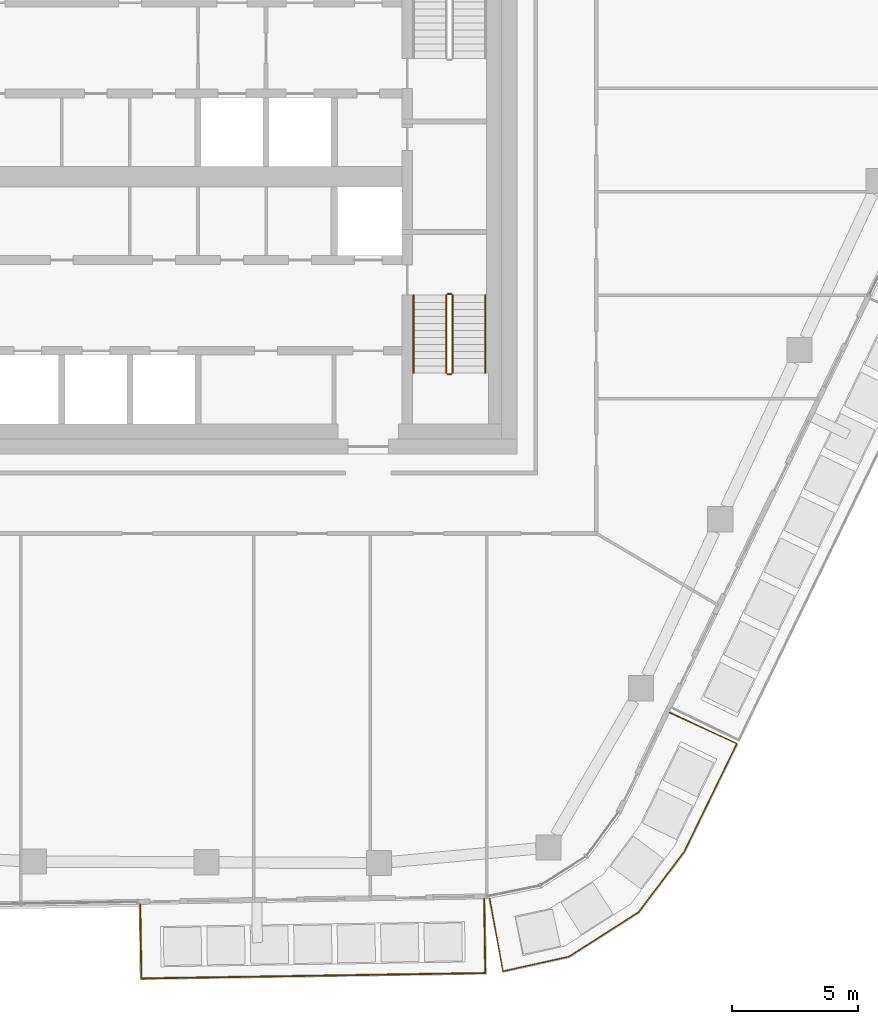
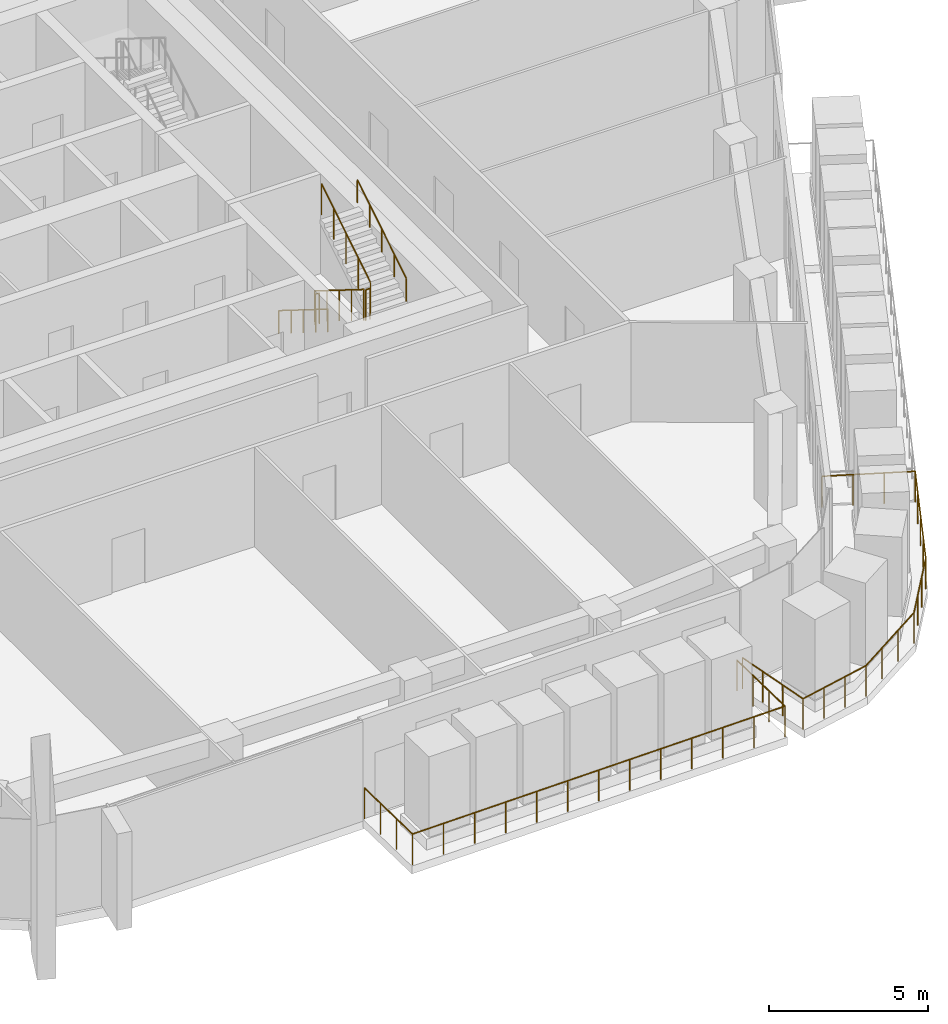
# One storey, part 20 of 24: 8 railings.
"""IFC4 building model written with IfcOpenShell, lengths in metres."""

from ifc_helpers import new_model, si_unit, direction, frame, origin, origin_2d, place, context, subcontext, project, spatial, circle, extrude, material, type_object, element, save


model = new_model("IFC4")

# Units and contexts
model_context = context("Model", 3, precision=1e-05, world=origin(), true_north=direction((0.0, 1.0)))
body_context = subcontext(model_context, "Body", "Model", "MODEL_VIEW")
ifc_project = project(units=[si_unit("LENGTHUNIT", "METRE"), si_unit("AREAUNIT", "SQUARE_METRE"), si_unit("VOLUMEUNIT", "CUBIC_METRE"), si_unit("PLANEANGLEUNIT", "RADIAN"), si_unit("MASSUNIT", "GRAM", prefix="KILO")], contexts=[model_context])

# Site, building, storey
site_placement = place(None, origin())
site = spatial("IfcSite", under=ifc_project, at=site_placement, CompositionType="ELEMENT")
building_placement = place(site_placement, origin())
building = spatial("IfcBuilding", under=site, at=building_placement, Name="Dongbaek Canopy Tower", CompositionType="ELEMENT")
storey_placement = place(building_placement, frame((0.0, 0.0, 294.199951171875)))
storey = spatial("IfcBuildingStorey", under=building, at=storey_placement, Name="L62", CompositionType="ELEMENT", Elevation=294.199951171875)

# Railings
ifc_material_1 = material(Name="Stainless steel", Category="steel")
railing_type_1 = type_object("IfcRailingType", Name="Balcony balustrade 1200", PredefinedType="BALUSTRADE", material=ifc_material_1)
railing_1_placement = place(storey_placement, frame((-0.943359375, -28.865478515625, 0.0)))
element("IfcRailing", 1, at=railing_1_placement, inside=storey, type_object=railing_type_1, Name="Balcony guard L62 4", PredefinedType="BALUSTRADE", context=body_context, shape_type="SweptSolid", body=[
    extrude(circle(Radius=0.02392578125, at=origin_2d()), frame((0.0, 0.0, 1.17578125), z_axis=(0.015694437486, -0.999876834731, 0.0), x_axis=(0.999876834731, 0.015694437486, 0.0)), (0.0, 0.0, 1.0), 2.93994140625),
    extrude(circle(Radius=0.02392578125, at=origin_2d()), frame((0.046142578125, -2.939697265625, 1.17578125), z_axis=(0.999876923775, 0.015688763569, 0.0), x_axis=(-0.015688763569, 0.999876923775, 0.0)), (0.0, 0.0, 1.0), 13.6474609375),
    extrude(circle(Radius=0.02392578125, at=origin_2d()), frame((13.69189453125, -2.7255859375, 1.17578125), z_axis=(-0.015695740689, 0.999876814275, 0.0), x_axis=(-0.999876814275, -0.015695740689, 0.0)), (0.0, 0.0, 1.0), 2.939697265625),
    extrude(circle(Radius=0.02099609375, at=origin_2d()), origin(), (0.0, 0.0, 1.0), 1.15185546875),
    extrude(circle(Radius=0.02099609375, at=origin_2d()), frame((0.015380859375, -0.97998046875, 0.0)), (0.0, 0.0, 1.0), 1.15185546875),
    extrude(circle(Radius=0.02099609375, at=origin_2d()), frame((0.03076171875, -1.959716796875, 0.0)), (0.0, 0.0, 1.0), 1.15185546875),
    extrude(circle(Radius=0.02099609375, at=origin_2d()), frame((0.046142578125, -2.939697265625, 0.0)), (0.0, 0.0, 1.0), 1.15185546875),
    extrude(circle(Radius=0.02099609375, at=origin_2d()), frame((1.183349609375, -2.921875, 0.0)), (0.0, 0.0, 1.0), 1.15185546875),
    extrude(circle(Radius=0.02099609375, at=origin_2d()), frame((2.3203125, -2.904052734375, 0.0)), (0.0, 0.0, 1.0), 1.15185546875),
    extrude(circle(Radius=0.02099609375, at=origin_2d()), frame((3.45751953125, -2.88623046875, 0.0)), (0.0, 0.0, 1.0), 1.15185546875),
    extrude(circle(Radius=0.02099609375, at=origin_2d()), frame((4.5947265625, -2.868408203125, 0.0)), (0.0, 0.0, 1.0), 1.15185546875),
    extrude(circle(Radius=0.02099609375, at=origin_2d()), frame((5.73193359375, -2.8505859375, 0.0)), (0.0, 0.0, 1.0), 1.15185546875),
    extrude(circle(Radius=0.02099609375, at=origin_2d()), frame((6.869140625, -2.83251953125, 0.0)), (0.0, 0.0, 1.0), 1.15185546875),
    extrude(circle(Radius=0.02099609375, at=origin_2d()), frame((8.006103515625, -2.814697265625, 0.0)), (0.0, 0.0, 1.0), 1.15185546875),
    extrude(circle(Radius=0.02099609375, at=origin_2d()), frame((9.143310546875, -2.796875, 0.0)), (0.0, 0.0, 1.0), 1.15185546875),
    extrude(circle(Radius=0.02099609375, at=origin_2d()), frame((10.280517578125, -2.779052734375, 0.0)), (0.0, 0.0, 1.0), 1.15185546875),
    extrude(circle(Radius=0.02099609375, at=origin_2d()), frame((11.41748046875, -2.76123046875, 0.0)), (0.0, 0.0, 1.0), 1.15185546875),
    extrude(circle(Radius=0.02099609375, at=origin_2d()), frame((12.5546875, -2.743408203125, 0.0)), (0.0, 0.0, 1.0), 1.15185546875),
    extrude(circle(Radius=0.02099609375, at=origin_2d()), frame((13.69189453125, -2.7255859375, 0.0)), (0.0, 0.0, 1.0), 1.15185546875),
    extrude(circle(Radius=0.02099609375, at=origin_2d()), frame((13.676513671875, -1.745849609375, 0.0)), (0.0, 0.0, 1.0), 1.15185546875),
    extrude(circle(Radius=0.02099609375, at=origin_2d()), frame((13.6611328125, -0.765869140625, 0.0)), (0.0, 0.0, 1.0), 1.15185546875),
    extrude(circle(Radius=0.02099609375, at=origin_2d()), frame((13.645751953125, 0.2138671875, 0.0)), (0.0, 0.0, 1.0), 1.15185546875),
])
railing_2_placement = place(storey_placement, frame((12.920166015625, -28.6279296875, 0.0)))
element("IfcRailing", 2, at=railing_2_placement, inside=storey, type_object=railing_type_1, Name="Balcony guard L62 8", PredefinedType="BALUSTRADE", context=body_context, shape_type="SweptSolid", body=[
    extrude(circle(Radius=0.02392578125, at=origin_2d()), frame((0.0, 0.0, 1.17578125), z_axis=(0.178330161984, -0.983970707555, 0.0), x_axis=(0.983970707555, 0.178330161984, 0.0)), (0.0, 0.0, 1.0), 2.940673828125),
    extrude(circle(Radius=0.02392578125, at=origin_2d()), frame((0.5244140625, -2.8935546875, 1.17578125), z_axis=(0.976289674144, 0.216468178169, 0.0), x_axis=(-0.216468178169, 0.976289674144, 0.0)), (0.0, 0.0, 1.0), 2.684326171875),
    extrude(circle(Radius=0.02392578125, at=origin_2d()), frame((3.14501953125, -2.3125, 1.17578125), z_axis=(0.843107940563, 0.537744363577, 0.0), x_axis=(-0.537744363577, 0.843107940563, 0.0)), (0.0, 0.0, 1.0), 3.271484375),
    extrude(circle(Radius=0.02392578125, at=origin_2d()), frame((5.9033203125, -0.55322265625, 1.17578125), z_axis=(0.603154935556, 0.797624049108, 0.0), x_axis=(-0.797624049108, 0.603154935556, 0.0)), (0.0, 0.0, 1.0), 3.004150390625),
    extrude(circle(Radius=0.02392578125, at=origin_2d()), frame((7.71533203125, 1.843017578125, 1.17578125), z_axis=(0.43816512398, 0.898894501111, 0.0), x_axis=(-0.898894501111, 0.43816512398, 0.0)), (0.0, 0.0, 1.0), 4.782470703125),
    extrude(circle(Radius=0.02392578125, at=origin_2d()), frame((9.810791015625, 6.141845703125, 1.17578125), z_axis=(-0.90870152935, 0.417446440345, 0.0), x_axis=(-0.417446440345, -0.90870152935, 0.0)), (0.0, 0.0, 1.0), 2.940673828125),
    extrude(circle(Radius=0.02099609375, at=origin_2d()), origin(), (0.0, 0.0, 1.0), 1.15185546875),
    extrude(circle(Radius=0.02099609375, at=origin_2d()), frame((0.1748046875, -0.964599609375, 0.0)), (0.0, 0.0, 1.0), 1.15185546875),
    extrude(circle(Radius=0.02099609375, at=origin_2d()), frame((0.349609375, -1.928955078125, 0.0)), (0.0, 0.0, 1.0), 1.15185546875),
    extrude(circle(Radius=0.02099609375, at=origin_2d()), frame((0.5244140625, -2.8935546875, 0.0)), (0.0, 0.0, 1.0), 1.15185546875),
    extrude(circle(Radius=0.02099609375, at=origin_2d()), frame((1.39794921875, -2.699951171875, 0.0)), (0.0, 0.0, 1.0), 1.15185546875),
    extrude(circle(Radius=0.02099609375, at=origin_2d()), frame((2.271484375, -2.506103515625, 0.0)), (0.0, 0.0, 1.0), 1.15185546875),
    extrude(circle(Radius=0.02099609375, at=origin_2d()), frame((3.14501953125, -2.3125, 0.0)), (0.0, 0.0, 1.0), 1.15185546875),
    extrude(circle(Radius=0.02099609375, at=origin_2d()), frame((4.064453125, -1.72607421875, 0.0)), (0.0, 0.0, 1.0), 1.15185546875),
    extrude(circle(Radius=0.02099609375, at=origin_2d()), frame((4.98388671875, -1.1396484375, 0.0)), (0.0, 0.0, 1.0), 1.15185546875),
    extrude(circle(Radius=0.02099609375, at=origin_2d()), frame((5.9033203125, -0.55322265625, 0.0)), (0.0, 0.0, 1.0), 1.15185546875),
    extrude(circle(Radius=0.02099609375, at=origin_2d()), frame((6.50732421875, 0.24560546875, 0.0)), (0.0, 0.0, 1.0), 1.15185546875),
    extrude(circle(Radius=0.02099609375, at=origin_2d()), frame((7.111328125, 1.044189453125, 0.0)), (0.0, 0.0, 1.0), 1.15185546875),
    extrude(circle(Radius=0.02099609375, at=origin_2d()), frame((7.71533203125, 1.843017578125, 0.0)), (0.0, 0.0, 1.0), 1.15185546875),
    extrude(circle(Radius=0.02099609375, at=origin_2d()), frame((8.2392578125, 2.917724609375, 0.0)), (0.0, 0.0, 1.0), 1.15185546875),
    extrude(circle(Radius=0.02099609375, at=origin_2d()), frame((8.76318359375, 3.992431640625, 0.0)), (0.0, 0.0, 1.0), 1.15185546875),
    extrude(circle(Radius=0.02099609375, at=origin_2d()), frame((9.286865234375, 5.067138671875, 0.0)), (0.0, 0.0, 1.0), 1.15185546875),
    extrude(circle(Radius=0.02099609375, at=origin_2d()), frame((9.810791015625, 6.141845703125, 0.0)), (0.0, 0.0, 1.0), 1.15185546875),
    extrude(circle(Radius=0.02099609375, at=origin_2d()), frame((8.920166015625, 6.551025390625, 0.0)), (0.0, 0.0, 1.0), 1.15185546875),
    extrude(circle(Radius=0.02099609375, at=origin_2d()), frame((8.029296875, 6.960205078125, 0.0)), (0.0, 0.0, 1.0), 1.15185546875),
    extrude(circle(Radius=0.02099609375, at=origin_2d()), frame((7.138671875, 7.369384765625, 0.0)), (0.0, 0.0, 1.0), 1.15185546875),
])
ifc_material_2 = material(Name="Stainless steel tube and balusters", Category="steel")
railing_type_2 = type_object("IfcRailingType", Name="Stair guard 1200", PredefinedType="GUARDRAIL", material=ifc_material_2)
railing_3_placement = place(storey_placement, frame((11.199951171875, -4.699951171875, 0.175048828125)))
element("IfcRailing", 3, at=railing_3_placement, inside=storey, type_object=railing_type_2, Name="L62 ST-B stair guard 1", PredefinedType="GUARDRAIL", context=body_context, shape_type="SweptSolid", body=[
    extrude(circle(Radius=0.02392578125, at=origin_2d()), frame((0.0, 0.0, 1.17578125), z_axis=(0.0, -0.847998304005, 0.529998940003), x_axis=(1.0, 0.0, 0.0)), (0.0, 0.0, 1.0), 3.632080078125),
    extrude(circle(Radius=0.02099609375, at=origin_2d()), origin(), (0.0, 0.0, 1.0), 1.15185546875),
    extrude(circle(Radius=0.02099609375, at=origin_2d()), frame((0.0, -0.77001953125, 0.481201171875)), (0.0, 0.0, 1.0), 1.15185546875),
    extrude(circle(Radius=0.02099609375, at=origin_2d()), frame((0.0, -1.5400390625, 0.96240234375)), (0.0, 0.0, 1.0), 1.15185546875),
    extrude(circle(Radius=0.02099609375, at=origin_2d()), frame((0.0, -2.31005859375, 1.44384765625)), (0.0, 0.0, 1.0), 1.15185546875),
    extrude(circle(Radius=0.02099609375, at=origin_2d()), frame((0.0, -3.080078125, 1.925048828125)), (0.0, 0.0, 1.0), 1.15185546875),
])
railing_4_placement = place(storey_placement, frame((11.25, -7.830078125, 2.10009765625)))
element("IfcRailing", 4, at=railing_4_placement, inside=storey, type_object=railing_type_2, Name="L62 ST-B stair guard 2", PredefinedType="GUARDRAIL", context=body_context, shape_type="SweptSolid", body=[
    extrude(circle(Radius=0.02392578125, at=origin_2d()), frame((0.0, 0.0, 1.17578125), z_axis=(1.0, 0.0, 0.0), x_axis=(0.0, 1.0, 0.0)), (0.0, 0.0, 1.0), 0.14990234375),
    extrude(circle(Radius=0.02099609375, at=origin_2d()), origin(), (0.0, 0.0, 1.0), 1.15185546875),
    extrude(circle(Radius=0.02099609375, at=origin_2d()), frame((0.14990234375, 0.0, 0.0)), (0.0, 0.0, 1.0), 1.15185546875),
])
railing_5_placement = place(storey_placement, frame((11.449951171875, -7.780029296875, 2.275146484375)))
element("IfcRailing", 5, at=railing_5_placement, inside=storey, type_object=railing_type_2, Name="L62 ST-B stair guard 3", PredefinedType="GUARDRAIL", context=body_context, shape_type="SweptSolid", body=[
    extrude(circle(Radius=0.02392578125, at=origin_2d()), frame((0.0, 0.0, 1.17578125), z_axis=(0.0, 0.848028513186, 0.529950602248), x_axis=(-1.0, 0.0, 0.0)), (0.0, 0.0, 1.0), 3.632080078125),
    extrude(circle(Radius=0.02099609375, at=origin_2d()), origin(), (0.0, 0.0, 1.0), 1.15185546875),
    extrude(circle(Radius=0.02099609375, at=origin_2d()), frame((0.0, 0.77001953125, 0.481201171875)), (0.0, 0.0, 1.0), 1.15185546875),
    extrude(circle(Radius=0.02099609375, at=origin_2d()), frame((0.0, 1.5400390625, 0.96240234375)), (0.0, 0.0, 1.0), 1.15185546875),
    extrude(circle(Radius=0.02099609375, at=origin_2d()), frame((0.0, 2.31005859375, 1.443603515625)), (0.0, 0.0, 1.0), 1.15185546875),
    extrude(circle(Radius=0.02099609375, at=origin_2d()), frame((0.0, 3.080078125, 1.9248046875)), (0.0, 0.0, 1.0), 1.15185546875),
])
railing_6_placement = place(storey_placement, frame((11.25, -4.64990234375, 0.0)))
element("IfcRailing", 6, at=railing_6_placement, inside=storey, type_object=railing_type_2, Name="L62 ST-B stair guard 4", PredefinedType="GUARDRAIL", context=body_context, shape_type="SweptSolid", body=[
    extrude(circle(Radius=0.02392578125, at=origin_2d()), frame((0.0, 0.0, 1.17578125), z_axis=(1.0, 0.0, 0.0), x_axis=(0.0, 1.0, 0.0)), (0.0, 0.0, 1.0), 0.14990234375),
    extrude(circle(Radius=0.02099609375, at=origin_2d()), origin(), (0.0, 0.0, 1.0), 1.15185546875),
    extrude(circle(Radius=0.02099609375, at=origin_2d()), frame((0.14990234375, 0.0, 0.0)), (0.0, 0.0, 1.0), 1.15185546875),
])
ifc_material_3 = material(Name="Stainless steel tube", Category="steel")
railing_type_3 = type_object("IfcRailingType", Name="Stair handrail 900", PredefinedType="HANDRAIL", material=ifc_material_3)
railing_7_placement = place(storey_placement, frame((9.89990234375, -4.699951171875, 0.175048828125)))
element("IfcRailing", 7, at=railing_7_placement, inside=storey, type_object=railing_type_3, Name="L62 ST-B stair handrail 1", PredefinedType="HANDRAIL", context=body_context, shape_type="SweptSolid", body=[
    extrude(circle(Radius=0.02392578125, at=origin_2d()), frame((0.0, 0.0, 0.8759765625), z_axis=(0.0, -0.847998304005, 0.529998940003), x_axis=(1.0, 0.0, 0.0)), (0.0, 0.0, 1.0), 3.632080078125),
    extrude(circle(Radius=0.02099609375, at=origin_2d()), origin(), (0.0, 0.0, 1.0), 0.851806640625),
    extrude(circle(Radius=0.02099609375, at=origin_2d()), frame((0.0, -0.77001953125, 0.481201171875)), (0.0, 0.0, 1.0), 0.851806640625),
    extrude(circle(Radius=0.02099609375, at=origin_2d()), frame((0.0, -1.5400390625, 0.96240234375)), (0.0, 0.0, 1.0), 0.851806640625),
    extrude(circle(Radius=0.02099609375, at=origin_2d()), frame((0.0, -2.31005859375, 1.44384765625)), (0.0, 0.0, 1.0), 0.851806640625),
    extrude(circle(Radius=0.02099609375, at=origin_2d()), frame((0.0, -3.080078125, 1.925048828125)), (0.0, 0.0, 1.0), 0.851806640625),
])
railing_8_placement = place(storey_placement, frame((12.75, -7.780029296875, 2.275146484375)))
element("IfcRailing", 8, at=railing_8_placement, inside=storey, type_object=railing_type_3, Name="L62 ST-B stair handrail 2", PredefinedType="HANDRAIL", context=body_context, shape_type="SweptSolid", body=[
    extrude(circle(Radius=0.02392578125, at=origin_2d()), frame((0.0, 0.0, 0.8759765625), z_axis=(0.0, 0.848028513186, 0.529950602248), x_axis=(-1.0, 0.0, 0.0)), (0.0, 0.0, 1.0), 3.632080078125),
    extrude(circle(Radius=0.02099609375, at=origin_2d()), origin(), (0.0, 0.0, 1.0), 0.851806640625),
    extrude(circle(Radius=0.02099609375, at=origin_2d()), frame((0.0, 0.77001953125, 0.481201171875)), (0.0, 0.0, 1.0), 0.851806640625),
    extrude(circle(Radius=0.02099609375, at=origin_2d()), frame((0.0, 1.5400390625, 0.96240234375)), (0.0, 0.0, 1.0), 0.851806640625),
    extrude(circle(Radius=0.02099609375, at=origin_2d()), frame((0.0, 2.31005859375, 1.443603515625)), (0.0, 0.0, 1.0), 0.851806640625),
    extrude(circle(Radius=0.02099609375, at=origin_2d()), frame((0.0, 3.080078125, 1.9248046875)), (0.0, 0.0, 1.0), 0.851806640625),
])

save(model, "model.ifc")
